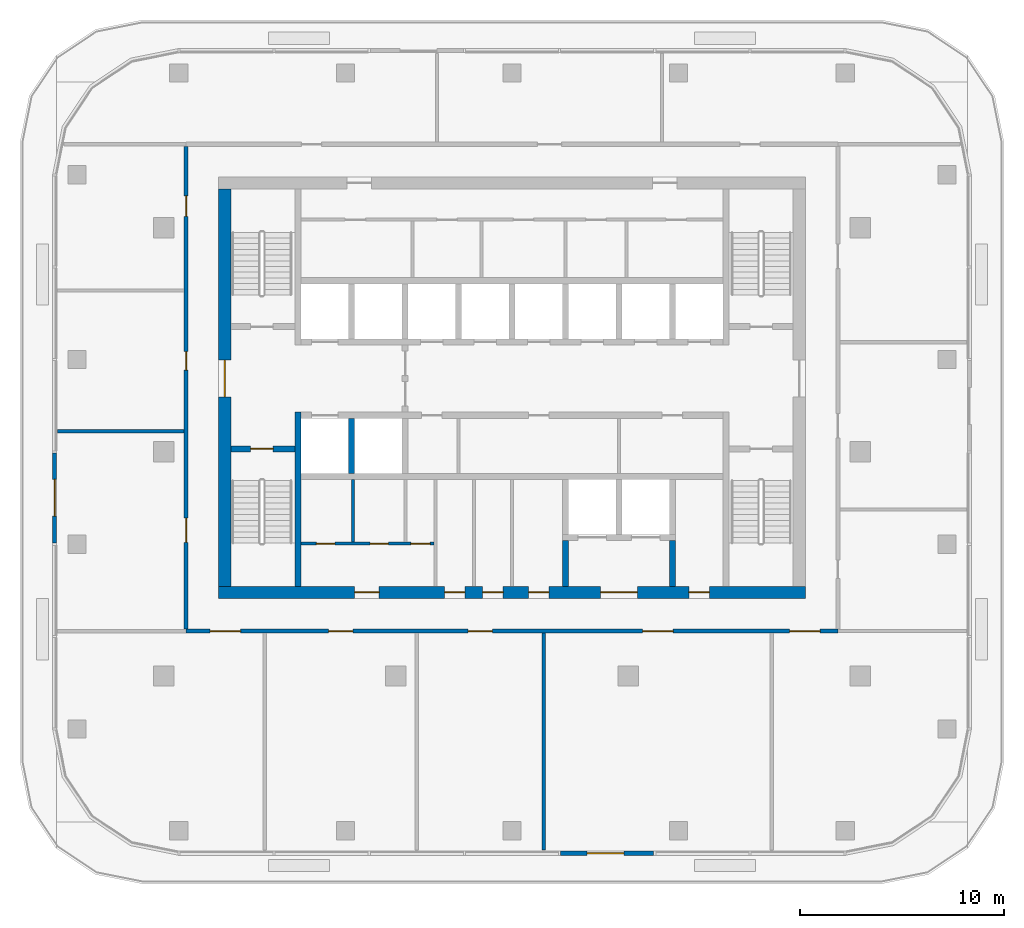
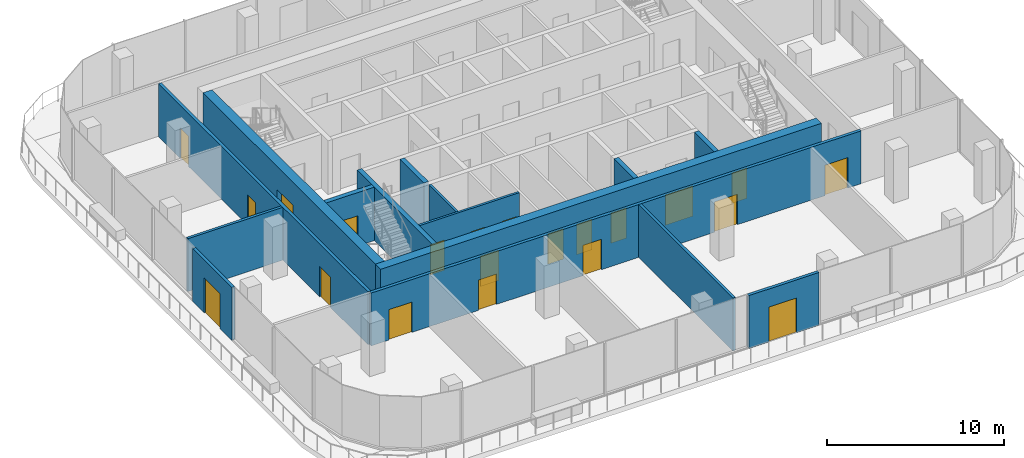
# One storey, part 6 of 12: 21 doors, 15 walls, 21 openings.
"""IFC4 building model written with IfcOpenShell, lengths in metres."""

from ifc_helpers import new_model, si_unit, direction, frame, frame_2d, origin, place, context, subcontext, project, spatial, rectangle, extrude, material, layer, layer_set, type_object, element, fill, save


model = new_model("IFC4")

# Units and contexts
model_context = context("Model", 3, precision=1e-05, world=origin(), true_north=direction((0.0, 1.0)))
body_context = subcontext(model_context, "Body", "Model", "MODEL_VIEW")
ifc_project = project(units=[si_unit("LENGTHUNIT", "METRE"), si_unit("AREAUNIT", "SQUARE_METRE"), si_unit("VOLUMEUNIT", "CUBIC_METRE"), si_unit("PLANEANGLEUNIT", "RADIAN"), si_unit("MASSUNIT", "GRAM", prefix="KILO")], contexts=[model_context])

# Site, building, storey
site_placement = place(None, origin())
site = spatial("IfcSite", under=ifc_project, at=site_placement, CompositionType="ELEMENT")
building_placement = place(site_placement, origin())
building = spatial("IfcBuilding", under=site, at=building_placement, Name="Mopane Tessera Tower", CompositionType="ELEMENT")
storey_placement = place(building_placement, frame((0.0, 0.0, 349.39990234375)))
storey = spatial("IfcBuildingStorey", under=building, at=storey_placement, Name="L76", CompositionType="ELEMENT", Elevation=349.39990234375)

# Wall, openings, doors
ifc_material_1 = material(Name="Fire-rated gypsum board partition")
ifc_layer_1 = layer(ifc_material_1, 0.14990234375)
ifc_layer_set_1 = layer_set([ifc_layer_1], Name="Fire-rated gypsum board partition")
wall_type_1 = type_object("IfcWallType", Name="Core room partition 150 mm", PredefinedType="PARTITIONING", material=ifc_layer_set_1)
wall_1_placement = place(storey_placement, frame((-10.35009765625, -4.5, 0.0), z_axis=(0.0, 0.0, 1.0), x_axis=(1.0, 0.0, 0.0)))
wall_1 = element("IfcWall", 1, at=wall_1_placement, inside=storey, type_object=wall_type_1, Name="L76 WC partition", PredefinedType="PARTITIONING", context=body_context, shape_type="SweptSolid", body=[
    extrude(rectangle(XDim=6.525146484375, YDim=0.14990234375, at=frame_2d((3.2626953125, 0.0))), origin(), (0.0, 0.0, 1.0), 3.7001953125),
])
opening_1_placement = place(wall_1_placement, frame((0.75, 0.0, 0.0)))
opening_1 = element("IfcOpeningElement", 2, at=opening_1_placement, cuts=wall_1, Name="Opening WD1", PredefinedType="OPENING", context=body_context, shape_type="SweptSolid", body=[
    extrude(rectangle(XDim=0.89990234375, YDim=2.10009765625, at=frame_2d((0.449951171875, 1.050048828125))), frame((0.0, 0.0869140625, 0.0), z_axis=(0.0, -1.0, 0.0), x_axis=(1.0, 0.0, 0.0)), (0.0, 0.0, 1.0), 0.173828125),
])
opening_2_placement = place(wall_1_placement, frame((3.382568359375, 0.0, 0.0)))
opening_2 = element("IfcOpeningElement", 3, at=opening_2_placement, cuts=wall_1, Name="Opening WD1", PredefinedType="OPENING", context=body_context, shape_type="SweptSolid", body=[
    extrude(rectangle(XDim=0.89990234375, YDim=2.10009765625, at=frame_2d((0.449951171875, 1.050048828125))), frame((0.0, 0.0869140625, 0.0), z_axis=(0.0, -1.0, 0.0), x_axis=(1.0, 0.0, 0.0)), (0.0, 0.0, 1.0), 0.173828125),
])
opening_3_placement = place(wall_1_placement, frame((5.382568359375, 0.0, 0.0)))
opening_3 = element("IfcOpeningElement", 4, at=opening_3_placement, cuts=wall_1, Name="Opening WD2", PredefinedType="OPENING", context=body_context, shape_type="SweptSolid", body=[
    extrude(rectangle(XDim=0.949951171875, YDim=2.10009765625, at=frame_2d((0.47509765625, 1.050048828125))), frame((0.0, 0.0869140625, 0.0), z_axis=(0.0, -1.0, 0.0), x_axis=(1.0, 0.0, 0.0)), (0.0, 0.0, 1.0), 0.173828125),
])
ifc_material_2 = material(Name="Timber door", Category="wood")
door_type_1 = type_object("IfcDoorType", Name="Accessible WC door 950 x 2100", OperationType="SINGLE_SWING_LEFT", PredefinedType="DOOR", material=ifc_material_2)
door_1_placement = place(opening_3_placement, origin())
door_1 = element("IfcDoor", 5, at=door_1_placement, inside=storey, type_object=door_type_1, Name="L76 Accessible WC door", OperationType="SINGLE_SWING_LEFT", OverallHeight=2.10009765625, OverallWidth=0.949951171875, PredefinedType="DOOR", context=body_context, shape_type="SweptSolid", body=[
    extrude(rectangle(XDim=0.949951171875, YDim=2.10009765625, at=frame_2d((0.47509765625, 1.050048828125))), frame((0.0, 0.02490234375, 0.0), z_axis=(0.0, -1.0, 0.0), x_axis=(1.0, 0.0, 0.0)), (0.0, 0.0, 1.0), 0.050048828125),
])
fill(opening_3, door_1)
ifc_material_3 = material(Name="Timber door", Category="wood")
door_type_2 = type_object("IfcDoorType", Name="WC cubicle door 900 x 2100", OperationType="SINGLE_SWING_LEFT", PredefinedType="DOOR", material=ifc_material_3)
door_2_placement = place(opening_1_placement, origin())
door_2 = element("IfcDoor", 6, at=door_2_placement, inside=storey, type_object=door_type_2, Name="L76 Men's WC door", OperationType="SINGLE_SWING_LEFT", OverallHeight=2.10009765625, OverallWidth=0.89990234375, PredefinedType="DOOR", context=body_context, shape_type="SweptSolid", body=[
    extrude(rectangle(XDim=0.89990234375, YDim=2.10009765625, at=frame_2d((0.449951171875, 1.050048828125))), frame((0.0, 0.02490234375, 0.0), z_axis=(0.0, -1.0, 0.0), x_axis=(1.0, 0.0, 0.0)), (0.0, 0.0, 1.0), 0.050048828125),
])
fill(opening_1, door_2)
door_3_placement = place(opening_2_placement, origin())
door_3 = element("IfcDoor", 7, at=door_3_placement, inside=storey, type_object=door_type_2, Name="L76 Women's WC door", OperationType="SINGLE_SWING_LEFT", OverallHeight=2.10009765625, OverallWidth=0.89990234375, PredefinedType="DOOR", context=body_context, shape_type="SweptSolid", body=[
    extrude(rectangle(XDim=0.89990234375, YDim=2.10009765625, at=frame_2d((0.449951171875, 1.050048828125))), frame((0.0, 0.02490234375, 0.0), z_axis=(0.0, -1.0, 0.0), x_axis=(1.0, 0.0, 0.0)), (0.0, 0.0, 1.0), 0.050048828125),
])
fill(opening_2, door_3)

# Wall
wall_2_placement = place(storey_placement, frame((-7.800048828125, -4.425048828125, 0.0), z_axis=(0.0, 0.0, 1.0), x_axis=(0.0, 1.0, 0.0)))
element("IfcWall", 8, at=wall_2_placement, inside=storey, type_object=wall_type_1, Name="L76 WC partition", PredefinedType="PARTITIONING", context=body_context, shape_type="SweptSolid", body=[
    extrude(rectangle(XDim=3.074951171875, YDim=0.14990234375, at=frame_2d((1.53759765625, 0.0))), origin(), (0.0, 0.0, 1.0), 3.7001953125),
])

# Wall, openings, doors
ifc_material_4 = material(Name="Concrete C70/85", Category="concrete")
ifc_layer_2 = layer(ifc_material_4, 0.60009765625)
ifc_layer_set_2 = layer_set([ifc_layer_2], Name="Concrete C70/85")
wall_type_2 = type_object("IfcWallType", Name="Core shear wall 600 mm", PredefinedType="SHEAR", material=ifc_layer_set_2)
wall_3_placement = place(storey_placement, frame((-14.39990234375, -6.89990234375, 0.0), z_axis=(0.0, 0.0, 1.0), x_axis=(1.0, 0.0, 0.0)))
wall_3 = element("IfcWall", 9, at=wall_3_placement, inside=storey, type_object=wall_type_2, Name="L76 Core wall south", PredefinedType="SHEAR", context=body_context, shape_type="SweptSolid", body=[
    extrude(rectangle(XDim=28.7998046875, YDim=0.60009765625, at=frame_2d((14.39990234375, 0.0))), origin(), (0.0, 0.0, 1.0), 3.7001953125),
])
opening_4_placement = place(wall_3_placement, frame((6.675048828125, 0.0, 0.0)))
opening_4 = element("IfcOpeningElement", 10, at=opening_4_placement, cuts=wall_3, Name="Opening WD3", PredefinedType="OPENING", context=body_context, shape_type="SweptSolid", body=[
    extrude(rectangle(XDim=1.199951171875, YDim=2.10009765625, at=frame_2d((0.60009765625, 1.050048828125))), frame((0.0, 0.31201171875, 0.0), z_axis=(0.0, -1.0, 0.0), x_axis=(1.0, 0.0, 0.0)), (0.0, 0.0, 1.0), 0.6240234375),
])
opening_5_placement = place(wall_3_placement, frame((11.08740234375, 0.0, 0.0)))
opening_5 = element("IfcOpeningElement", 11, at=opening_5_placement, cuts=wall_3, Name="Opening RD1", PredefinedType="OPENING", context=body_context, shape_type="SweptSolid", body=[
    extrude(rectangle(XDim=1.0, YDim=2.10009765625, at=frame_2d((0.5, 1.050048828125))), frame((0.0, 0.31201171875, 0.0), z_axis=(0.0, -1.0, 0.0), x_axis=(1.0, 0.0, 0.0)), (0.0, 0.0, 1.0), 0.6240234375),
])
opening_6_placement = place(wall_3_placement, frame((12.96240234375, 0.0, 0.0)))
opening_6 = element("IfcOpeningElement", 12, at=opening_6_placement, cuts=wall_3, Name="Opening RD1", PredefinedType="OPENING", context=body_context, shape_type="SweptSolid", body=[
    extrude(rectangle(XDim=1.0, YDim=2.10009765625, at=frame_2d((0.5, 1.050048828125))), frame((0.0, 0.31201171875, 0.0), z_axis=(0.0, -1.0, 0.0), x_axis=(1.0, 0.0, 0.0)), (0.0, 0.0, 1.0), 0.6240234375),
])
opening_7_placement = place(wall_3_placement, frame((15.21240234375, 0.0, 0.0)))
opening_7 = element("IfcOpeningElement", 13, at=opening_7_placement, cuts=wall_3, Name="Opening RD1", PredefinedType="OPENING", context=body_context, shape_type="SweptSolid", body=[
    extrude(rectangle(XDim=1.0, YDim=2.10009765625, at=frame_2d((0.5, 1.050048828125))), frame((0.0, 0.31201171875, 0.0), z_axis=(0.0, -1.0, 0.0), x_axis=(1.0, 0.0, 0.0)), (0.0, 0.0, 1.0), 0.6240234375),
])
opening_8_placement = place(wall_3_placement, frame((18.75, 0.0, 0.0)))
opening_8 = element("IfcOpeningElement", 14, at=opening_8_placement, cuts=wall_3, Name="Opening SD2", PredefinedType="OPENING", context=body_context, shape_type="SweptSolid", body=[
    extrude(rectangle(XDim=1.800048828125, YDim=2.10009765625, at=frame_2d((0.89990234375, 1.050048828125))), frame((0.0, 0.31201171875, 0.0), z_axis=(0.0, -1.0, 0.0), x_axis=(1.0, 0.0, 0.0)), (0.0, 0.0, 1.0), 0.6240234375),
])
opening_9_placement = place(wall_3_placement, frame((23.08740234375, 0.0, 0.0)))
opening_9 = element("IfcOpeningElement", 15, at=opening_9_placement, cuts=wall_3, Name="Opening RD1", PredefinedType="OPENING", context=body_context, shape_type="SweptSolid", body=[
    extrude(rectangle(XDim=1.0, YDim=2.10009765625, at=frame_2d((0.5, 1.050048828125))), frame((0.0, 0.31201171875, 0.0), z_axis=(0.0, -1.0, 0.0), x_axis=(1.0, 0.0, 0.0)), (0.0, 0.0, 1.0), 0.6240234375),
])
ifc_material_5 = material(Name="Steel fire door", Category="steel")
door_type_3 = type_object("IfcDoorType", Name="Core entrance double door 1800 x 2100", OperationType="DOUBLE_DOOR_SINGLE_SWING", PredefinedType="DOOR", material=ifc_material_5)
door_4_placement = place(opening_8_placement, origin())
door_4 = element("IfcDoor", 16, at=door_4_placement, inside=storey, type_object=door_type_3, Name="L76 Service lobby door", OperationType="DOUBLE_DOOR_SINGLE_SWING", OverallHeight=2.10009765625, OverallWidth=1.800048828125, PredefinedType="DOOR", context=body_context, shape_type="SweptSolid", body=[
    extrude(rectangle(XDim=1.800048828125, YDim=2.10009765625, at=frame_2d((0.89990234375, 1.050048828125))), frame((0.0, 0.02490234375, 0.0), z_axis=(0.0, -1.0, 0.0), x_axis=(1.0, 0.0, 0.0)), (0.0, 0.0, 1.0), 0.050048828125),
])
fill(opening_8, door_4)
ifc_material_6 = material(Name="Timber door", Category="wood")
door_type_4 = type_object("IfcDoorType", Name="Core room door 1000 x 2100", OperationType="SINGLE_SWING_LEFT", PredefinedType="DOOR", material=ifc_material_6)
door_5_placement = place(opening_5_placement, origin())
door_5 = element("IfcDoor", 17, at=door_5_placement, inside=storey, type_object=door_type_4, Name="L76 Room door", OperationType="SINGLE_SWING_LEFT", OverallHeight=2.10009765625, OverallWidth=1.0, PredefinedType="DOOR", context=body_context, shape_type="SweptSolid", body=[
    extrude(rectangle(XDim=1.0, YDim=2.10009765625, at=frame_2d((0.5, 1.050048828125))), frame((0.0, 0.02490234375, 0.0), z_axis=(0.0, -1.0, 0.0), x_axis=(1.0, 0.0, 0.0)), (0.0, 0.0, 1.0), 0.050048828125),
])
fill(opening_5, door_5)
door_6_placement = place(opening_6_placement, origin())
door_6 = element("IfcDoor", 18, at=door_6_placement, inside=storey, type_object=door_type_4, Name="L76 Room door", OperationType="SINGLE_SWING_LEFT", OverallHeight=2.10009765625, OverallWidth=1.0, PredefinedType="DOOR", context=body_context, shape_type="SweptSolid", body=[
    extrude(rectangle(XDim=1.0, YDim=2.10009765625, at=frame_2d((0.5, 1.050048828125))), frame((0.0, 0.02490234375, 0.0), z_axis=(0.0, -1.0, 0.0), x_axis=(1.0, 0.0, 0.0)), (0.0, 0.0, 1.0), 0.050048828125),
])
fill(opening_6, door_6)
door_7_placement = place(opening_7_placement, origin())
door_7 = element("IfcDoor", 19, at=door_7_placement, inside=storey, type_object=door_type_4, Name="L76 Room door", OperationType="SINGLE_SWING_LEFT", OverallHeight=2.10009765625, OverallWidth=1.0, PredefinedType="DOOR", context=body_context, shape_type="SweptSolid", body=[
    extrude(rectangle(XDim=1.0, YDim=2.10009765625, at=frame_2d((0.5, 1.050048828125))), frame((0.0, 0.02490234375, 0.0), z_axis=(0.0, -1.0, 0.0), x_axis=(1.0, 0.0, 0.0)), (0.0, 0.0, 1.0), 0.050048828125),
])
fill(opening_7, door_7)
door_8_placement = place(opening_9_placement, origin())
door_8 = element("IfcDoor", 20, at=door_8_placement, inside=storey, type_object=door_type_4, Name="L76 Room door", OperationType="SINGLE_SWING_LEFT", OverallHeight=2.10009765625, OverallWidth=1.0, PredefinedType="DOOR", context=body_context, shape_type="SweptSolid", body=[
    extrude(rectangle(XDim=1.0, YDim=2.10009765625, at=frame_2d((0.5, 1.050048828125))), frame((0.0, 0.02490234375, 0.0), z_axis=(0.0, -1.0, 0.0), x_axis=(1.0, 0.0, 0.0)), (0.0, 0.0, 1.0), 0.050048828125),
])
fill(opening_9, door_8)
ifc_material_7 = material(Name="Timber door", Category="wood")
door_type_5 = type_object("IfcDoorType", Name="WC lobby door 1200 x 2100", OperationType="SINGLE_SWING_LEFT", PredefinedType="DOOR", material=ifc_material_7)
door_9_placement = place(opening_4_placement, origin())
door_9 = element("IfcDoor", 21, at=door_9_placement, inside=storey, type_object=door_type_5, Name="L76 WC lobby door", OperationType="SINGLE_SWING_LEFT", OverallHeight=2.10009765625, OverallWidth=1.199951171875, PredefinedType="DOOR", context=body_context, shape_type="SweptSolid", body=[
    extrude(rectangle(XDim=1.199951171875, YDim=2.10009765625, at=frame_2d((0.60009765625, 1.050048828125))), frame((0.0, 0.02490234375, 0.0), z_axis=(0.0, -1.0, 0.0), x_axis=(1.0, 0.0, 0.0)), (0.0, 0.0, 1.0), 0.050048828125),
])
fill(opening_4, door_9)

# Wall, opening, door
wall_4_placement = place(storey_placement, frame((-14.10009765625, -6.60009765625, 0.0), z_axis=(0.0, 0.0, 1.0), x_axis=(0.0, 1.0, 0.0)))
wall_4 = element("IfcWall", 22, at=wall_4_placement, inside=storey, type_object=wall_type_2, Name="L76 Core wall west", PredefinedType="SHEAR", context=body_context, shape_type="SweptSolid", body=[
    extrude(rectangle(XDim=19.5, YDim=0.60009765625, at=frame_2d((9.75, 0.0))), origin(), (0.0, 0.0, 1.0), 3.7001953125),
])
opening_10_placement = place(wall_4_placement, frame((9.300048828125, 0.0, 0.0)))
opening_10 = element("IfcOpeningElement", 23, at=opening_10_placement, cuts=wall_4, Name="Opening SD2", PredefinedType="OPENING", context=body_context, shape_type="SweptSolid", body=[
    extrude(rectangle(XDim=1.800048828125, YDim=2.10009765625, at=frame_2d((0.89990234375, 1.050048828125))), frame((0.0, 0.31201171875, 0.0), z_axis=(0.0, -1.0, 0.0), x_axis=(1.0, 0.0, 0.0)), (0.0, 0.0, 1.0), 0.6240234375),
])
door_10_placement = place(opening_10_placement, origin())
door_10 = element("IfcDoor", 24, at=door_10_placement, inside=storey, type_object=door_type_3, Name="L76 Core entrance door west", OperationType="DOUBLE_DOOR_SINGLE_SWING", OverallHeight=2.10009765625, OverallWidth=1.800048828125, PredefinedType="DOOR", context=body_context, shape_type="SweptSolid", body=[
    extrude(rectangle(XDim=1.800048828125, YDim=2.10009765625, at=frame_2d((0.89990234375, 1.050048828125))), frame((0.0, 0.02490234375, 0.0), z_axis=(0.0, -1.0, 0.0), x_axis=(1.0, 0.0, 0.0)), (0.0, 0.0, 1.0), 0.050048828125),
])
fill(opening_10, door_10)

# Walls
ifc_material_8 = material(Name="Concrete C60/75", Category="concrete")
ifc_layer_3 = layer(ifc_material_8, 0.300048828125)
ifc_layer_set_3 = layer_set([ifc_layer_3], Name="Concrete C60/75")
wall_type_3 = type_object("IfcWallType", Name="Core spine wall 300 mm", PredefinedType="SHEAR", material=ifc_layer_set_3)
wall_5_placement = place(storey_placement, frame((-10.5, -6.60009765625, 0.0), z_axis=(0.0, 0.0, 1.0), x_axis=(0.0, 1.0, 0.0)))
element("IfcWall", 25, at=wall_5_placement, inside=storey, type_object=wall_type_3, Name="L76 Core spine wall", PredefinedType="SHEAR", context=body_context, shape_type="SweptSolid", body=[
    extrude(rectangle(XDim=8.550048828125, YDim=0.300048828125, at=frame_2d((4.27490234375, 0.0))), origin(), (0.0, 0.0, 1.0), 3.7001953125),
])
ifc_material_9 = material(Name="Gypsum board on staggered steel studs, double layer each face, acoustic mineral wool infill", Category="steel")
ifc_layer_4 = layer(ifc_material_9, 0.175048828125)
ifc_layer_set_4 = layer_set([ifc_layer_4], Name="Gypsum board on staggered steel studs, double layer each face, acoustic mineral wool infill")
wall_type_4 = type_object("IfcWallType", Name="Gypsum board acoustic partition 175, rated EI 60", PredefinedType="PARTITIONING", material=ifc_layer_set_4)
wall_6_placement = place(storey_placement, frame((-22.300048828125, 1.010009765625, 0.0), z_axis=(0.0, 0.0, 1.0), x_axis=(1.0, 0.0, 0.0)))
element("IfcWall", 26, at=wall_6_placement, inside=storey, type_object=wall_type_4, Name="Partition L76:004", PredefinedType="PARTITIONING", context=body_context, shape_type="SweptSolid", body=[
    extrude(rectangle(XDim=6.199951171875, YDim=0.175048828125, at=frame_2d((3.10009765625, 0.0))), origin(), (0.0, 0.0, 1.0), 3.650146484375),
])
wall_7_placement = place(storey_placement, frame((1.554931640625, -19.550048828125, 0.0), z_axis=(0.0, 0.0, 1.0), x_axis=(0.0, 1.0, 0.0)))
element("IfcWall", 27, at=wall_7_placement, inside=storey, type_object=wall_type_4, Name="Partition L76:014", PredefinedType="PARTITIONING", context=body_context, shape_type="SweptSolid", body=[
    extrude(rectangle(XDim=10.650146484375, YDim=0.175048828125, at=frame_2d((5.3251953125, 0.0))), origin(), (0.0, 0.0, 1.0), 3.650146484375),
])

# Wall, openings, doors
ifc_material_10 = material(Name="Gypsum board on steel studs, two layers each face, mineral wool infill", Category="steel")
ifc_layer_5 = layer(ifc_material_10, 0.199951171875)
ifc_layer_set_5 = layer_set([ifc_layer_5], Name="Gypsum board on steel studs, two layers each face, mineral wool infill")
wall_type_5 = type_object("IfcWallType", Name="Gypsum board corridor wall 200, rated EI 60", PredefinedType="PARTITIONING", material=ifc_layer_set_5)
wall_8_placement = place(storey_placement, frame((-16.0, -8.800048828125, 0.0), z_axis=(0.0, 0.0, 1.0), x_axis=(1.0, 0.0, 0.0)))
wall_8 = element("IfcWall", 28, at=wall_8_placement, inside=storey, type_object=wall_type_5, Name="Partition L76:002", PredefinedType="PARTITIONING", context=body_context, shape_type="SweptSolid", body=[
    extrude(rectangle(XDim=32.0, YDim=0.199951171875, at=frame_2d((16.0, 0.0))), origin(), (0.0, 0.0, 1.0), 3.650146484375),
])
opening_11_placement = place(wall_8_placement, frame((6.9951171875, 0.0, 0.0)))
opening_11 = element("IfcOpeningElement", 29, at=opening_11_placement, cuts=wall_8, Name="Opening L76-01", PredefinedType="OPENING", context=body_context, shape_type="SweptSolid", body=[
    extrude(rectangle(XDim=1.199951171875, YDim=2.10009765625, at=frame_2d((0.60009765625, 1.050048828125))), frame((0.0, 0.112060546875, 0.0), z_axis=(0.0, -1.0, 0.0), x_axis=(1.0, 0.0, 0.0)), (0.0, 0.0, 1.0), 0.223876953125),
])
opening_12_placement = place(wall_8_placement, frame((22.407470703125, 0.0, 0.0)))
opening_12 = element("IfcOpeningElement", 30, at=opening_12_placement, cuts=wall_8, Name="Opening L76-02", PredefinedType="OPENING", context=body_context, shape_type="SweptSolid", body=[
    extrude(rectangle(XDim=1.5, YDim=2.10009765625, at=frame_2d((0.75, 1.050048828125))), frame((0.0, 0.112060546875, 0.0), z_axis=(0.0, -1.0, 0.0), x_axis=(1.0, 0.0, 0.0)), (0.0, 0.0, 1.0), 0.223876953125),
])
opening_13_placement = place(wall_8_placement, frame((29.6298828125, 0.0, 0.0)))
opening_13 = element("IfcOpeningElement", 31, at=opening_13_placement, cuts=wall_8, Name="Opening L76-03", PredefinedType="OPENING", context=body_context, shape_type="SweptSolid", body=[
    extrude(rectangle(XDim=1.5, YDim=2.10009765625, at=frame_2d((0.75, 1.050048828125))), frame((0.0, 0.112060546875, 0.0), z_axis=(0.0, -1.0, 0.0), x_axis=(1.0, 0.0, 0.0)), (0.0, 0.0, 1.0), 0.223876953125),
])
opening_14_placement = place(wall_8_placement, frame((1.179931640625, 0.0, 0.0)))
opening_14 = element("IfcOpeningElement", 32, at=opening_14_placement, cuts=wall_8, Name="Opening L76-07", PredefinedType="OPENING", context=body_context, shape_type="SweptSolid", body=[
    extrude(rectangle(XDim=1.5, YDim=2.10009765625, at=frame_2d((0.75, 1.050048828125))), frame((0.0, 0.112060546875, 0.0), z_axis=(0.0, -1.0, 0.0), x_axis=(1.0, 0.0, 0.0)), (0.0, 0.0, 1.0), 0.223876953125),
])
opening_15_placement = place(wall_8_placement, frame((13.842529296875, 0.0, 0.0)))
opening_15 = element("IfcOpeningElement", 33, at=opening_15_placement, cuts=wall_8, Name="Opening L76-14", PredefinedType="OPENING", context=body_context, shape_type="SweptSolid", body=[
    extrude(rectangle(XDim=1.199951171875, YDim=2.10009765625, at=frame_2d((0.60009765625, 1.050048828125))), frame((0.0, 0.112060546875, 0.0), z_axis=(0.0, -1.0, 0.0), x_axis=(1.0, 0.0, 0.0)), (0.0, 0.0, 1.0), 0.223876953125),
])
ifc_material_11 = material(Name="Timber veneered steel-framed fire door", Category="steel")
door_type_6 = type_object("IfcDoorType", Name="Fire door FD60 1200 x 2100", OperationType="SINGLE_SWING_LEFT", PredefinedType="DOOR", material=ifc_material_11)
door_11_placement = place(opening_11_placement, origin())
door_11 = element("IfcDoor", 34, at=door_11_placement, inside=storey, type_object=door_type_6, Name="Door L76-01", ObjectType="D15A", OperationType="SINGLE_SWING_LEFT", OverallHeight=2.10009765625, OverallWidth=1.199951171875, PredefinedType="DOOR", context=body_context, shape_type="SweptSolid", body=[
    extrude(rectangle(XDim=1.199951171875, YDim=2.10009765625, at=frame_2d((0.60009765625, 1.050048828125))), frame((0.0, 0.02490234375, 0.0), z_axis=(0.0, -1.0, 0.0), x_axis=(1.0, 0.0, 0.0)), (0.0, 0.0, 1.0), 0.050048828125),
])
fill(opening_11, door_11)
door_12_placement = place(opening_15_placement, origin())
door_12 = element("IfcDoor", 35, at=door_12_placement, inside=storey, type_object=door_type_6, Name="Door L76-14", ObjectType="D15A", OperationType="SINGLE_SWING_RIGHT", OverallHeight=2.10009765625, OverallWidth=1.199951171875, PredefinedType="DOOR", context=body_context, shape_type="SweptSolid", body=[
    extrude(rectangle(XDim=1.199951171875, YDim=2.10009765625, at=frame_2d((0.60009765625, 1.050048828125))), frame((0.0, 0.02490234375, 0.0), z_axis=(0.0, -1.0, 0.0), x_axis=(1.0, 0.0, 0.0)), (0.0, 0.0, 1.0), 0.050048828125),
])
fill(opening_15, door_12)
ifc_material_12 = material(Name="Timber veneered steel-framed fire door", Category="steel")
door_type_7 = type_object("IfcDoorType", Name="Fire door pair FD60 1500 x 2100", OperationType="DOUBLE_DOOR_SINGLE_SWING", PredefinedType="DOOR", material=ifc_material_12)
door_13_placement = place(opening_12_placement, origin())
door_13 = element("IfcDoor", 36, at=door_13_placement, inside=storey, type_object=door_type_7, Name="Door L76-02", ObjectType="D17A", OperationType="DOUBLE_DOOR_SINGLE_SWING", OverallHeight=2.10009765625, OverallWidth=1.5, PredefinedType="DOOR", context=body_context, shape_type="SweptSolid", body=[
    extrude(rectangle(XDim=1.5, YDim=2.10009765625, at=frame_2d((0.75, 1.050048828125))), frame((0.0, 0.02490234375, 0.0), z_axis=(0.0, -1.0, 0.0), x_axis=(1.0, 0.0, 0.0)), (0.0, 0.0, 1.0), 0.050048828125),
])
fill(opening_12, door_13)
door_14_placement = place(opening_13_placement, origin())
door_14 = element("IfcDoor", 37, at=door_14_placement, inside=storey, type_object=door_type_7, Name="Door L76-03", ObjectType="D17A", OperationType="DOUBLE_DOOR_SINGLE_SWING", OverallHeight=2.10009765625, OverallWidth=1.5, PredefinedType="DOOR", context=body_context, shape_type="SweptSolid", body=[
    extrude(rectangle(XDim=1.5, YDim=2.10009765625, at=frame_2d((0.75, 1.050048828125))), frame((0.0, 0.02490234375, 0.0), z_axis=(0.0, -1.0, 0.0), x_axis=(1.0, 0.0, 0.0)), (0.0, 0.0, 1.0), 0.050048828125),
])
fill(opening_13, door_14)
door_15_placement = place(opening_14_placement, origin())
door_15 = element("IfcDoor", 38, at=door_15_placement, inside=storey, type_object=door_type_7, Name="Door L76-07", ObjectType="D17A", OperationType="DOUBLE_DOOR_SINGLE_SWING", OverallHeight=2.10009765625, OverallWidth=1.5, PredefinedType="DOOR", context=body_context, shape_type="SweptSolid", body=[
    extrude(rectangle(XDim=1.5, YDim=2.10009765625, at=frame_2d((0.75, 1.050048828125))), frame((0.0, 0.02490234375, 0.0), z_axis=(0.0, -1.0, 0.0), x_axis=(1.0, 0.0, 0.0)), (0.0, 0.0, 1.0), 0.050048828125),
])
fill(opening_14, door_15)

wall_9_placement = place(storey_placement, frame((-16.0, -8.699951171875, 0.0), z_axis=(0.0, 0.0, 1.0), x_axis=(0.0, 1.0, 0.0)))
wall_9 = element("IfcWall", 39, at=wall_9_placement, inside=storey, type_object=wall_type_5, Name="Partition L76:010", PredefinedType="PARTITIONING", context=body_context, shape_type="SweptSolid", body=[
    extrude(rectangle(XDim=23.699951171875, YDim=0.199951171875, at=frame_2d((11.85009765625, 0.0))), origin(), (0.0, 0.0, 1.0), 3.650146484375),
])
opening_16_placement = place(wall_9_placement, frame((4.2548828125, 0.0, 0.0)))
opening_16 = element("IfcOpeningElement", 40, at=opening_16_placement, cuts=wall_9, Name="Opening L76-04", PredefinedType="OPENING", context=body_context, shape_type="SweptSolid", body=[
    extrude(rectangle(XDim=1.199951171875, YDim=2.10009765625, at=frame_2d((0.60009765625, 1.050048828125))), frame((0.0, 0.112060546875, 0.0), z_axis=(0.0, -1.0, 0.0), x_axis=(1.0, 0.0, 0.0)), (0.0, 0.0, 1.0), 0.223876953125),
])
opening_17_placement = place(wall_9_placement, frame((20.264892578125, 0.0, 0.0)))
opening_17 = element("IfcOpeningElement", 41, at=opening_17_placement, cuts=wall_9, Name="Opening L76-09", PredefinedType="OPENING", context=body_context, shape_type="SweptSolid", body=[
    extrude(rectangle(XDim=1.0, YDim=2.10009765625, at=frame_2d((0.5, 1.050048828125))), frame((0.0, 0.112060546875, 0.0), z_axis=(0.0, -1.0, 0.0), x_axis=(1.0, 0.0, 0.0)), (0.0, 0.0, 1.0), 0.223876953125),
])
opening_18_placement = place(wall_9_placement, frame((12.719970703125, 0.0, 0.0)))
opening_18 = element("IfcOpeningElement", 42, at=opening_18_placement, cuts=wall_9, Name="Opening L76-11", PredefinedType="OPENING", context=body_context, shape_type="SweptSolid", body=[
    extrude(rectangle(XDim=0.89990234375, YDim=2.10009765625, at=frame_2d((0.449951171875, 1.050048828125))), frame((0.0, 0.112060546875, 0.0), z_axis=(0.0, -1.0, 0.0), x_axis=(1.0, 0.0, 0.0)), (0.0, 0.0, 1.0), 0.223876953125),
])
ifc_material_13 = material(Name="Timber veneered steel-framed fire door", Category="steel")
door_type_8 = type_object("IfcDoorType", Name="Fire door FD60 1000 x 2100", OperationType="SINGLE_SWING_LEFT", PredefinedType="DOOR", material=ifc_material_13)
door_16_placement = place(opening_17_placement, origin())
door_16 = element("IfcDoor", 43, at=door_16_placement, inside=storey, type_object=door_type_8, Name="Door L76-09", ObjectType="D12A", OperationType="SINGLE_SWING_RIGHT", OverallHeight=2.10009765625, OverallWidth=1.0, PredefinedType="DOOR", context=body_context, shape_type="SweptSolid", body=[
    extrude(rectangle(XDim=1.0, YDim=2.10009765625, at=frame_2d((0.5, 1.050048828125))), frame((0.0, 0.02490234375, 0.0), z_axis=(0.0, -1.0, 0.0), x_axis=(1.0, 0.0, 0.0)), (0.0, 0.0, 1.0), 0.050048828125),
])
fill(opening_17, door_16)
door_17_placement = place(opening_16_placement, origin())
door_17 = element("IfcDoor", 44, at=door_17_placement, inside=storey, type_object=door_type_6, Name="Door L76-04", ObjectType="D15A", OperationType="SINGLE_SWING_LEFT", OverallHeight=2.10009765625, OverallWidth=1.199951171875, PredefinedType="DOOR", context=body_context, shape_type="SweptSolid", body=[
    extrude(rectangle(XDim=1.199951171875, YDim=2.10009765625, at=frame_2d((0.60009765625, 1.050048828125))), frame((0.0, 0.02490234375, 0.0), z_axis=(0.0, -1.0, 0.0), x_axis=(1.0, 0.0, 0.0)), (0.0, 0.0, 1.0), 0.050048828125),
])
fill(opening_16, door_17)
ifc_material_14 = material(Name="Timber veneered steel-framed fire door", Category="steel")
door_type_9 = type_object("IfcDoorType", Name="Fire door FD60 900 x 2100", OperationType="SINGLE_SWING_LEFT", PredefinedType="DOOR", material=ifc_material_14)
door_18_placement = place(opening_18_placement, origin())
door_18 = element("IfcDoor", 45, at=door_18_placement, inside=storey, type_object=door_type_9, Name="Door L76-11", ObjectType="D10A", OperationType="SINGLE_SWING_RIGHT", OverallHeight=2.10009765625, OverallWidth=0.89990234375, PredefinedType="DOOR", context=body_context, shape_type="SweptSolid", body=[
    extrude(rectangle(XDim=0.89990234375, YDim=2.10009765625, at=frame_2d((0.449951171875, 1.050048828125))), frame((0.0, 0.02490234375, 0.0), z_axis=(0.0, -1.0, 0.0), x_axis=(1.0, 0.0, 0.0)), (0.0, 0.0, 1.0), 0.050048828125),
])
fill(opening_18, door_18)

# Wall, opening, door
ifc_material_15 = material(Name="Concrete C50/60", Category="concrete")
ifc_layer_6 = layer(ifc_material_15, 0.300048828125)
ifc_layer_set_6 = layer_set([ifc_layer_6], Name="Concrete C50/60")
wall_type_6 = type_object("IfcWallType", Name="Lift and stair shaft wall 300 mm", PredefinedType="SOLIDWALL", material=ifc_layer_set_6)
wall_10_placement = place(storey_placement, frame((-13.800048828125, 0.14990234375, 0.0), z_axis=(0.0, 0.0, 1.0), x_axis=(1.0, 0.0, 0.0)))
wall_10 = element("IfcWall", 46, at=wall_10_placement, inside=storey, type_object=wall_type_6, Name="L76 Stair enclosure wall", PredefinedType="SOLIDWALL", context=body_context, shape_type="SweptSolid", body=[
    extrude(rectangle(XDim=3.150146484375, YDim=0.300048828125, at=frame_2d((1.5751953125, 0.0))), origin(), (0.0, 0.0, 1.0), 3.7001953125),
])
opening_19_placement = place(wall_10_placement, frame((0.97509765625, 0.0, 0.0)))
opening_19 = element("IfcOpeningElement", 47, at=opening_19_placement, cuts=wall_10, Name="Opening SD1", PredefinedType="OPENING", context=body_context, shape_type="SweptSolid", body=[
    extrude(rectangle(XDim=1.10009765625, YDim=2.10009765625, at=frame_2d((0.550048828125, 1.050048828125))), frame((0.0, 0.162109375, 0.0), z_axis=(0.0, -1.0, 0.0), x_axis=(1.0, 0.0, 0.0)), (0.0, 0.0, 1.0), 0.323974609375),
])
ifc_material_16 = material(Name="Steel fire door", Category="steel")
door_type_10 = type_object("IfcDoorType", Name="Stair fire door 1100 x 2100", OperationType="SINGLE_SWING_LEFT", PredefinedType="DOOR", material=ifc_material_16)
door_19_placement = place(opening_19_placement, origin())
door_19 = element("IfcDoor", 48, at=door_19_placement, inside=storey, type_object=door_type_10, Name="L76 Stair door ST1", OperationType="SINGLE_SWING_LEFT", OverallHeight=2.10009765625, OverallWidth=1.10009765625, PredefinedType="DOOR", context=body_context, shape_type="SweptSolid", body=[
    extrude(rectangle(XDim=1.10009765625, YDim=2.10009765625, at=frame_2d((0.550048828125, 1.050048828125))), frame((0.0, 0.02490234375, 0.0), z_axis=(0.0, -1.0, 0.0), x_axis=(1.0, 0.0, 0.0)), (0.0, 0.0, 1.0), 0.050048828125),
])
fill(opening_19, door_19)

# Walls
wall_11_placement = place(storey_placement, frame((-7.875, -1.050048828125, 0.0), z_axis=(0.0, 0.0, 1.0), x_axis=(0.0, 1.0, 0.0)))
element("IfcWall", 49, at=wall_11_placement, inside=storey, type_object=wall_type_6, Name="L76 Lift shaft wall", PredefinedType="SOLIDWALL", context=body_context, shape_type="SweptSolid", body=[
    extrude(rectangle(XDim=2.699951171875, YDim=0.300048828125, at=frame_2d((1.35009765625, 0.0))), origin(), (0.0, 0.0, 1.0), 3.7001953125),
])
ifc_material_17 = material(Name="Concrete C50/60", Category="concrete")
ifc_layer_7 = layer(ifc_material_17, 0.300048828125)
ifc_layer_set_7 = layer_set([ifc_layer_7], Name="Concrete C50/60")
wall_type_7 = type_object("IfcWallType", Name="Lobby and refuge room wall 300 mm", PredefinedType="SOLIDWALL", material=ifc_layer_set_7)
for number, where, z_axis, x_axis, name in (
    (50, (2.625, -6.60009765625, 0.0), (0.0, 0.0, 1.0), (0.0, 1.0, 0.0), "L76 Service lobby wall"),
    (51, (7.875, -6.60009765625, 0.0), (0.0, 0.0, 1.0), (0.0, 1.0, 0.0), "L76 Service lobby wall"),
):
    element("IfcWall", number, at=place(storey_placement, frame(where, z_axis=z_axis, x_axis=x_axis)), inside=storey, type_object=wall_type_7, Name=name, PredefinedType="SOLIDWALL", context=body_context, shape_type="SweptSolid", body=[
        extrude(rectangle(XDim=2.25, YDim=0.300048828125, at=frame_2d((1.125, 0.0))), origin(), (0.0, 0.0, 1.0), 3.7001953125),
    ])

# Wall, opening, door
ifc_material_18 = material(Name="Blockwork with glazed tile facing", Category="masonry")
ifc_layer_8 = layer(ifc_material_18, 0.199951171875)
ifc_layer_set_8 = layer_set([ifc_layer_8], Name="Blockwork with glazed tile facing")
wall_type_8 = type_object("IfcWallType", Name="Tile-clad portal wall 200", PredefinedType="STANDARD", material=ifc_layer_set_8)
wall_12_placement = place(storey_placement, frame((2.3857421875, -19.699951171875, 0.0), z_axis=(0.0, 0.0, 1.0), x_axis=(1.0, 0.0, 0.0)))
wall_12 = element("IfcWall", 52, at=wall_12_placement, inside=storey, type_object=wall_type_8, Name="e:pw:L76:S", PredefinedType="STANDARD", context=body_context, shape_type="SweptSolid", body=[
    extrude(rectangle(XDim=4.5712890625, YDim=0.199951171875, at=frame_2d((2.28564453125, 0.0))), origin(), (0.0, 0.0, 1.0), 3.650146484375),
])
opening_20_placement = place(wall_12_placement, frame((1.300048828125, 0.0, 0.0)))
opening_20 = element("IfcOpeningElement", 53, at=opening_20_placement, cuts=wall_12, Name="Opening TD76S", PredefinedType="OPENING", context=body_context, shape_type="SweptSolid", body=[
    extrude(rectangle(XDim=1.800048828125, YDim=2.39990234375, at=frame_2d((0.89990234375, 1.199951171875))), frame((0.0, 0.112060546875, 0.0), z_axis=(0.0, -1.0, 0.0), x_axis=(1.0, 0.0, 0.0)), (0.0, 0.0, 1.0), 0.223876953125),
])
ifc_material_19 = material(Name="Aluminium and clear glass", Category="aluminium")
door_type_11 = type_object("IfcDoorType", Name="Terrace double door 1800 x 2400", OperationType="DOUBLE_DOOR_SINGLE_SWING", PredefinedType="DOOR", material=ifc_material_19)
door_20_placement = place(opening_20_placement, origin())
door_20 = element("IfcDoor", 54, at=door_20_placement, inside=storey, type_object=door_type_11, Name="e:pw:L76:S:door", ObjectType="D1", OperationType="DOUBLE_DOOR_SINGLE_SWING", OverallHeight=2.39990234375, OverallWidth=1.800048828125, PredefinedType="DOOR", context=body_context, shape_type="SweptSolid", body=[
    extrude(rectangle(XDim=1.800048828125, YDim=2.39990234375, at=frame_2d((0.89990234375, 1.199951171875))), frame((0.0, 0.02490234375, 0.0), z_axis=(0.0, -1.0, 0.0), x_axis=(1.0, 0.0, 0.0)), (0.0, 0.0, 1.0), 0.050048828125),
])
fill(opening_20, door_20)

wall_13_placement = place(storey_placement, frame((-22.449951171875, -0.050048828125, 0.0), z_axis=(0.0, 0.0, 1.0), x_axis=(0.0, -1.0, 0.0)))
wall_13 = element("IfcWall", 55, at=wall_13_placement, inside=storey, type_object=wall_type_8, Name="e:pw:L76:W", PredefinedType="STANDARD", context=body_context, shape_type="SweptSolid", body=[
    extrude(rectangle(XDim=4.433349609375, YDim=0.199951171875, at=frame_2d((2.216796875, 0.0))), origin(), (0.0, 0.0, 1.0), 3.650146484375),
])
opening_21_placement = place(wall_13_placement, frame((1.300048828125, 0.0, 0.0)))
opening_21 = element("IfcOpeningElement", 56, at=opening_21_placement, cuts=wall_13, Name="Opening TD76W", PredefinedType="OPENING", context=body_context, shape_type="SweptSolid", body=[
    extrude(rectangle(XDim=1.800048828125, YDim=2.39990234375, at=frame_2d((0.89990234375, 1.199951171875))), frame((0.0, 0.112060546875, 0.0), z_axis=(0.0, -1.0, 0.0), x_axis=(1.0, 0.0, 0.0)), (0.0, 0.0, 1.0), 0.223876953125),
])
door_21_placement = place(opening_21_placement, origin())
door_21 = element("IfcDoor", 57, at=door_21_placement, inside=storey, type_object=door_type_11, Name="e:pw:L76:W:door", ObjectType="D1", OperationType="DOUBLE_DOOR_SINGLE_SWING", OverallHeight=2.39990234375, OverallWidth=1.800048828125, PredefinedType="DOOR", context=body_context, shape_type="SweptSolid", body=[
    extrude(rectangle(XDim=1.800048828125, YDim=2.39990234375, at=frame_2d((0.89990234375, 1.199951171875))), frame((0.0, 0.02490234375, 0.0), z_axis=(0.0, -1.0, 0.0), x_axis=(1.0, 0.0, 0.0)), (0.0, 0.0, 1.0), 0.050048828125),
])
fill(opening_21, door_21)

save(model, "model.ifc")
